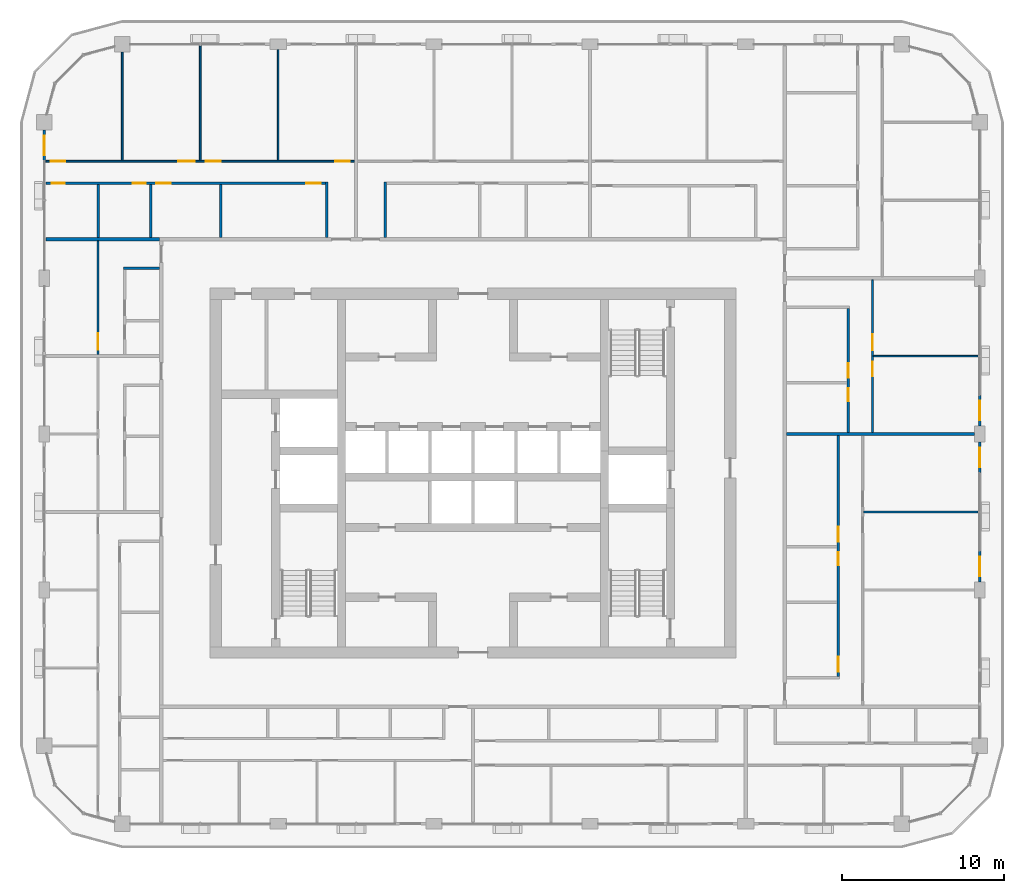
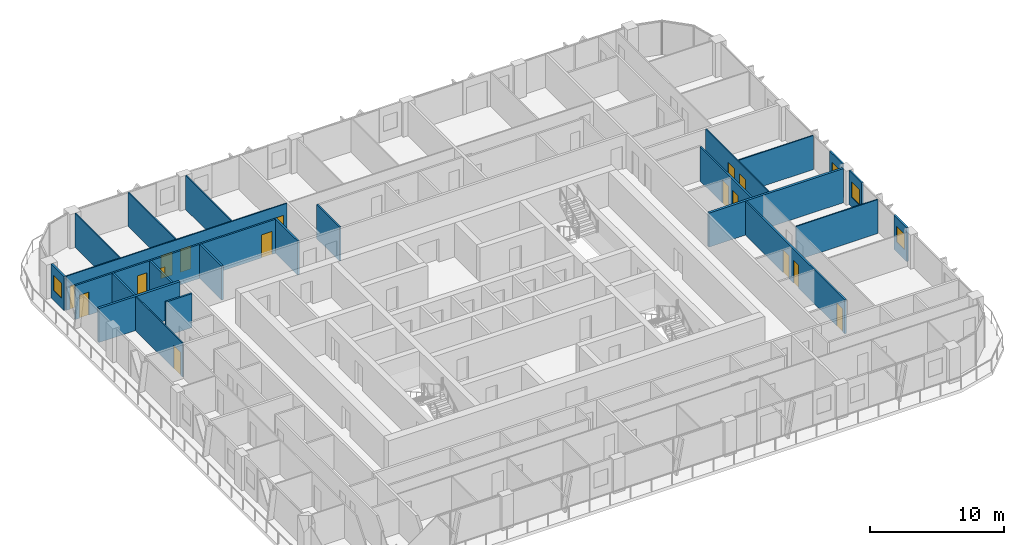
# One storey, part 13 of 22: 23 walls, 16 doors, 4 windows, 20 openings.
"""IFC4 building model written with IfcOpenShell, lengths in metres."""

from ifc_helpers import new_model, si_unit, direction, frame, frame_2d, origin, place, context, subcontext, project, spatial, rectangle, extrude, material, layer, layer_set, type_object, element, fill, save


model = new_model("IFC4")

# Units and contexts
model_context = context("Model", 3, precision=1e-05, world=origin(), true_north=direction((0.0, 1.0)))
body_context = subcontext(model_context, "Body", "Model", "MODEL_VIEW")
ifc_project = project(units=[si_unit("LENGTHUNIT", "METRE"), si_unit("AREAUNIT", "SQUARE_METRE"), si_unit("VOLUMEUNIT", "CUBIC_METRE"), si_unit("PLANEANGLEUNIT", "RADIAN"), si_unit("MASSUNIT", "GRAM", prefix="KILO")], contexts=[model_context])

# Site, building, storey
site_placement = place(None, origin())
site = spatial("IfcSite", under=ifc_project, at=site_placement, CompositionType="ELEMENT")
building_placement = place(site_placement, origin())
building = spatial("IfcBuilding", under=site, at=building_placement, Name="Madar Terraces", CompositionType="ELEMENT")
storey_placement = place(building_placement, frame((0.0, 0.0, 229.800048828125)))
storey = spatial("IfcBuildingStorey", under=building, at=storey_placement, Name="L60", CompositionType="ELEMENT", Elevation=229.800048828125)

# Wall, opening, window
ifc_material_1 = material(Name="Aluminium composite panel, black, over insulated backing", Category="aluminium")
ifc_layer_1 = layer(ifc_material_1, 0.14990234375)
ifc_layer_set_1 = layer_set([ifc_layer_1], Name="Facade bay panel 150")
wall_type_1 = type_object("IfcWallType", Name="Facade bay panel 150", PredefinedType="SOLIDWALL", material=ifc_layer_set_1)
wall_1_placement = place(storey_placement, frame((62.39990234375, 19.699951171875, 0.0), z_axis=(0.0, 0.0, 1.0), x_axis=(0.0, 1.0, 0.0)))
wall_1 = element("IfcWall", 1, at=wall_1_placement, inside=storey, type_object=wall_type_1, Name="Facade bay panel", PredefinedType="SOLIDWALL", context=body_context, shape_type="SweptSolid", body=[
    extrude(rectangle(XDim=1.900146484375, YDim=0.14990234375, at=frame_2d((0.9501953125, 0.0))), origin(), (0.0, 0.0, 1.0), 3.099853515625),
])
opening_1_placement = place(wall_1_placement, frame((0.35009765625, 0.0, 0.89990234375)))
opening_1 = element("IfcOpeningElement", 2, at=opening_1_placement, cuts=wall_1, Name="Opening W1", PredefinedType="OPENING", context=body_context, shape_type="SweptSolid", body=[
    extrude(rectangle(XDim=1.199951171875, YDim=1.39990234375, at=frame_2d((0.60009765625, 0.699951171875))), frame((0.0, 0.0849609375, 0.0), z_axis=(0.0, -1.0, 0.0), x_axis=(1.0, 0.0, 0.0)), (0.0, 0.0, 1.0), 0.169921875),
])
ifc_material_2 = material(Name="Glass, clear, with black aluminium frame", Category="aluminium")
window_type = type_object("IfcWindowType", Name="Vent window 1200 x 1400", PartitioningType="SINGLE_PANEL", PredefinedType="WINDOW", material=ifc_material_2)
window_1_placement = place(opening_1_placement, origin())
window_1 = element("IfcWindow", 3, at=window_1_placement, inside=storey, type_object=window_type, Name="Operable vent window", OverallHeight=1.39990234375, OverallWidth=1.199951171875, PartitioningType="SINGLE_PANEL", PredefinedType="WINDOW", context=body_context, shape_type="SweptSolid", body=[
    extrude(rectangle(XDim=1.199951171875, YDim=1.39990234375, at=frame_2d((0.60009765625, 0.699951171875))), frame((0.0, 0.030029296875, 0.0), z_axis=(0.0, -1.0, 0.0), x_axis=(1.0, 0.0, 0.0)), (0.0, 0.0, 1.0), 0.06005859375),
])
fill(opening_1, window_1)

wall_2_placement = place(storey_placement, frame((62.39990234375, 26.39990234375, 0.0), z_axis=(0.0, 0.0, 1.0), x_axis=(0.0, 1.0, 0.0)))
wall_2 = element("IfcWall", 4, at=wall_2_placement, inside=storey, type_object=wall_type_1, Name="Facade bay panel", PredefinedType="SOLIDWALL", context=body_context, shape_type="SweptSolid", body=[
    extrude(rectangle(XDim=1.900146484375, YDim=0.14990234375, at=frame_2d((0.9501953125, 0.0))), origin(), (0.0, 0.0, 1.0), 3.099853515625),
])
opening_2_placement = place(wall_2_placement, frame((0.35009765625, 0.0, 0.89990234375)))
opening_2 = element("IfcOpeningElement", 5, at=opening_2_placement, cuts=wall_2, Name="Opening W1", PredefinedType="OPENING", context=body_context, shape_type="SweptSolid", body=[
    extrude(rectangle(XDim=1.199951171875, YDim=1.39990234375, at=frame_2d((0.60009765625, 0.699951171875))), frame((0.0, 0.0849609375, 0.0), z_axis=(0.0, -1.0, 0.0), x_axis=(1.0, 0.0, 0.0)), (0.0, 0.0, 1.0), 0.169921875),
])
window_2_placement = place(opening_2_placement, origin())
window_2 = element("IfcWindow", 6, at=window_2_placement, inside=storey, type_object=window_type, Name="Operable vent window", OverallHeight=1.39990234375, OverallWidth=1.199951171875, PartitioningType="SINGLE_PANEL", PredefinedType="WINDOW", context=body_context, shape_type="SweptSolid", body=[
    extrude(rectangle(XDim=1.199951171875, YDim=1.39990234375, at=frame_2d((0.60009765625, 0.699951171875))), frame((0.0, 0.030029296875, 0.0), z_axis=(0.0, -1.0, 0.0), x_axis=(1.0, 0.0, 0.0)), (0.0, 0.0, 1.0), 0.06005859375),
])
fill(opening_2, window_2)

wall_3_placement = place(storey_placement, frame((62.39990234375, 29.300048828125, 0.0), z_axis=(0.0, 0.0, 1.0), x_axis=(0.0, 1.0, 0.0)))
wall_3 = element("IfcWall", 7, at=wall_3_placement, inside=storey, type_object=wall_type_1, Name="Facade bay panel", PredefinedType="SOLIDWALL", context=body_context, shape_type="SweptSolid", body=[
    extrude(rectangle(XDim=1.89990234375, YDim=0.14990234375, at=frame_2d((0.949951171875, 0.0))), origin(), (0.0, 0.0, 1.0), 3.099853515625),
])
opening_3_placement = place(wall_3_placement, frame((0.35009765625, 0.0, 0.89990234375)))
opening_3 = element("IfcOpeningElement", 8, at=opening_3_placement, cuts=wall_3, Name="Opening W1", PredefinedType="OPENING", context=body_context, shape_type="SweptSolid", body=[
    extrude(rectangle(XDim=1.199951171875, YDim=1.39990234375, at=frame_2d((0.60009765625, 0.699951171875))), frame((0.0, 0.0849609375, 0.0), z_axis=(0.0, -1.0, 0.0), x_axis=(1.0, 0.0, 0.0)), (0.0, 0.0, 1.0), 0.169921875),
])
window_3_placement = place(opening_3_placement, origin())
window_3 = element("IfcWindow", 9, at=window_3_placement, inside=storey, type_object=window_type, Name="Operable vent window", OverallHeight=1.39990234375, OverallWidth=1.199951171875, PartitioningType="SINGLE_PANEL", PredefinedType="WINDOW", context=body_context, shape_type="SweptSolid", body=[
    extrude(rectangle(XDim=1.199951171875, YDim=1.39990234375, at=frame_2d((0.60009765625, 0.699951171875))), frame((0.0, 0.030029296875, 0.0), z_axis=(0.0, -1.0, 0.0), x_axis=(1.0, 0.0, 0.0)), (0.0, 0.0, 1.0), 0.06005859375),
])
fill(opening_3, window_3)

wall_4_placement = place(storey_placement, frame((4.800048828125, 47.52490234375, 0.0), z_axis=(0.0, 0.0, 1.0), x_axis=(0.0, -1.0, 0.0)))
wall_4 = element("IfcWall", 10, at=wall_4_placement, inside=storey, type_object=wall_type_1, Name="Facade bay panel", PredefinedType="SOLIDWALL", context=body_context, shape_type="SweptSolid", body=[
    extrude(rectangle(XDim=1.9248046875, YDim=0.14990234375, at=frame_2d((0.96240234375, 0.0))), origin(), (0.0, 0.0, 1.0), 3.099853515625),
])
opening_4_placement = place(wall_4_placement, frame((0.362548828125, 0.0, 0.89990234375)))
opening_4 = element("IfcOpeningElement", 11, at=opening_4_placement, cuts=wall_4, Name="Opening W1", PredefinedType="OPENING", context=body_context, shape_type="SweptSolid", body=[
    extrude(rectangle(XDim=1.199951171875, YDim=1.39990234375, at=frame_2d((0.60009765625, 0.699951171875))), frame((0.0, 0.0849609375, 0.0), z_axis=(0.0, -1.0, 0.0), x_axis=(1.0, 0.0, 0.0)), (0.0, 0.0, 1.0), 0.169921875),
])
window_4_placement = place(opening_4_placement, origin())
window_4 = element("IfcWindow", 12, at=window_4_placement, inside=storey, type_object=window_type, Name="Operable vent window", OverallHeight=1.39990234375, OverallWidth=1.199951171875, PartitioningType="SINGLE_PANEL", PredefinedType="WINDOW", context=body_context, shape_type="SweptSolid", body=[
    extrude(rectangle(XDim=1.199951171875, YDim=1.39990234375, at=frame_2d((0.60009765625, 0.699951171875))), frame((0.0, 0.030029296875, 0.0), z_axis=(0.0, -1.0, 0.0), x_axis=(1.0, 0.0, 0.0)), (0.0, 0.0, 1.0), 0.06005859375),
])
fill(opening_4, window_4)

# Walls
ifc_material_3 = material(Name="Gypsum board on steel studs", Category="steel")
ifc_layer_2 = layer(ifc_material_3, 0.10009765625)
ifc_layer_set_2 = layer_set([ifc_layer_2], Name="Flat partition 100")
wall_type_2 = type_object("IfcWallType", Name="Flat partition 100", PredefinedType="PARTITIONING", material=ifc_layer_set_2)
wall_5_placement = place(storey_placement, frame((55.25, 24.0, 0.0), z_axis=(0.0, 0.0, 1.0), x_axis=(1.0, 0.0, 0.0)))
element("IfcWall", 13, at=wall_5_placement, inside=storey, type_object=wall_type_2, Name="Flat partition 100", PredefinedType="PARTITIONING", context=body_context, shape_type="SweptSolid", body=[
    extrude(rectangle(XDim=7.050048828125, YDim=0.10009765625, at=frame_2d((3.52490234375, 0.0))), origin(), (0.0, 0.0, 1.0), 3.099853515625),
])
wall_6_placement = place(storey_placement, frame((55.85009765625, 33.60009765625, 0.0), z_axis=(0.0, 0.0, 1.0), x_axis=(1.0, 0.0, 0.0)))
element("IfcWall", 14, at=wall_6_placement, inside=storey, type_object=wall_type_2, Name="Flat partition 100", PredefinedType="PARTITIONING", context=body_context, shape_type="SweptSolid", body=[
    extrude(rectangle(XDim=6.449951171875, YDim=0.10009765625, at=frame_2d((3.22509765625, 0.0))), origin(), (0.0, 0.0, 1.0), 3.099853515625),
])

# Wall, openings, doors
wall_7_placement = place(storey_placement, frame((55.800048828125, 38.300048828125, 0.0), z_axis=(0.0, 0.0, 1.0), x_axis=(0.0, -1.0, 0.0)))
wall_7 = element("IfcWall", 15, at=wall_7_placement, inside=storey, type_object=wall_type_2, Name="Flat partition 100", PredefinedType="PARTITIONING", context=body_context, shape_type="SweptSolid", body=[
    extrude(rectangle(XDim=9.400146484375, YDim=0.10009765625, at=frame_2d((4.7001953125, 0.0))), origin(), (0.0, 0.0, 1.0), 3.099853515625),
])
opening_5_placement = place(wall_7_placement, frame((3.35009765625, 0.0, 0.0)))
opening_5 = element("IfcOpeningElement", 16, at=opening_5_placement, cuts=wall_7, Name="Opening D3", PredefinedType="OPENING", context=body_context, shape_type="SweptSolid", body=[
    extrude(rectangle(XDim=1.0, YDim=2.10009765625, at=frame_2d((0.5, 1.050048828125))), frame((0.0, 0.06005859375, 0.0), z_axis=(0.0, -1.0, 0.0), x_axis=(1.0, 0.0, 0.0)), (0.0, 0.0, 1.0), 0.1201171875),
])
opening_6_placement = place(wall_7_placement, frame((5.050048828125, 0.0, 0.0)))
opening_6 = element("IfcOpeningElement", 17, at=opening_6_placement, cuts=wall_7, Name="Opening D2", PredefinedType="OPENING", context=body_context, shape_type="SweptSolid", body=[
    extrude(rectangle(XDim=0.89990234375, YDim=2.10009765625, at=frame_2d((0.449951171875, 1.050048828125))), frame((0.0, 0.06005859375, 0.0), z_axis=(0.0, -1.0, 0.0), x_axis=(1.0, 0.0, 0.0)), (0.0, 0.0, 1.0), 0.1201171875),
])
ifc_material_4 = material(Name="Timber door leaf", Category="wood")
door_type_1 = type_object("IfcDoorType", Name="Flat living room door 1000", OperationType="NOTDEFINED", PredefinedType="DOOR", material=ifc_material_4)
door_1_placement = place(opening_5_placement, origin())
door_1 = element("IfcDoor", 18, at=door_1_placement, inside=storey, type_object=door_type_1, Name="Flat living room door 1000", OperationType="SINGLE_SWING_RIGHT", OverallHeight=2.10009765625, OverallWidth=1.0, PredefinedType="DOOR", context=body_context, shape_type="SweptSolid", body=[
    extrude(rectangle(XDim=1.0, YDim=2.10009765625, at=frame_2d((0.5, 1.050048828125))), frame((0.0, 0.02490234375, 0.0), z_axis=(0.0, -1.0, 0.0), x_axis=(1.0, 0.0, 0.0)), (0.0, 0.0, 1.0), 0.050048828125),
])
fill(opening_5, door_1)
ifc_material_5 = material(Name="Timber door leaf", Category="wood")
door_type_2 = type_object("IfcDoorType", Name="Flat room door 900", OperationType="NOTDEFINED", PredefinedType="DOOR", material=ifc_material_5)
door_2_placement = place(opening_6_placement, origin())
door_2 = element("IfcDoor", 19, at=door_2_placement, inside=storey, type_object=door_type_2, Name="Flat room door 900", OperationType="SINGLE_SWING_LEFT", OverallHeight=2.10009765625, OverallWidth=0.89990234375, PredefinedType="DOOR", context=body_context, shape_type="SweptSolid", body=[
    extrude(rectangle(XDim=0.89990234375, YDim=2.10009765625, at=frame_2d((0.449951171875, 1.050048828125))), frame((0.0, 0.02490234375, 0.0), z_axis=(0.0, -1.0, 0.0), x_axis=(1.0, 0.0, 0.0)), (0.0, 0.0, 1.0), 0.050048828125),
])
fill(opening_6, door_2)

# Walls
wall_8_placement = place(storey_placement, frame((19.199951171875, 45.64990234375, 0.0), z_axis=(0.0, 0.0, 1.0), x_axis=(0.0, 1.0, 0.0)))
element("IfcWall", 20, at=wall_8_placement, inside=storey, type_object=wall_type_2, Name="Flat partition 100", PredefinedType="PARTITIONING", context=body_context, shape_type="SweptSolid", body=[
    extrude(rectangle(XDim=6.8251953125, YDim=0.10009765625, at=frame_2d((3.41259765625, 0.0))), origin(), (0.0, 0.0, 1.0), 3.099853515625),
])
wall_9_placement = place(storey_placement, frame((14.39990234375, 45.64990234375, 0.0), z_axis=(0.0, 0.0, 1.0), x_axis=(0.0, 1.0, 0.0)))
element("IfcWall", 21, at=wall_9_placement, inside=storey, type_object=wall_type_2, Name="Flat partition 100", PredefinedType="PARTITIONING", context=body_context, shape_type="SweptSolid", body=[
    extrude(rectangle(XDim=7.050048828125, YDim=0.10009765625, at=frame_2d((3.52490234375, 0.0))), origin(), (0.0, 0.0, 1.0), 3.099853515625),
])
wall_10_placement = place(storey_placement, frame((9.60009765625, 45.64990234375, 0.0), z_axis=(0.0, 0.0, 1.0), x_axis=(0.0, 1.0, 0.0)))
element("IfcWall", 22, at=wall_10_placement, inside=storey, type_object=wall_type_2, Name="Flat partition 100", PredefinedType="PARTITIONING", context=body_context, shape_type="SweptSolid", body=[
    extrude(rectangle(XDim=6.675048828125, YDim=0.10009765625, at=frame_2d((3.33740234375, 0.0))), origin(), (0.0, 0.0, 1.0), 3.099853515625),
])

# Wall, openings, doors
wall_11_placement = place(storey_placement, frame((4.89990234375, 45.60009765625, 0.0), z_axis=(0.0, 0.0, 1.0), x_axis=(1.0, 0.0, 0.0)))
wall_11 = element("IfcWall", 23, at=wall_11_placement, inside=storey, type_object=wall_type_2, Name="Flat partition 100", PredefinedType="PARTITIONING", context=body_context, shape_type="SweptSolid", body=[
    extrude(rectangle(XDim=19.0, YDim=0.10009765625, at=frame_2d((9.5, 0.0))), origin(), (0.0, 0.0, 1.0), 3.099853515625),
])
opening_7_placement = place(wall_11_placement, frame((17.800048828125, 0.0, 0.0)))
opening_7 = element("IfcOpeningElement", 24, at=opening_7_placement, cuts=wall_11, Name="Opening D2", PredefinedType="OPENING", context=body_context, shape_type="SweptSolid", body=[
    extrude(rectangle(XDim=0.89990234375, YDim=2.10009765625, at=frame_2d((0.449951171875, 1.050048828125))), frame((0.0, 0.06005859375, 0.0), z_axis=(0.0, -1.0, 0.0), x_axis=(1.0, 0.0, 0.0)), (0.0, 0.0, 1.0), 0.1201171875),
])
opening_8_placement = place(wall_11_placement, frame((9.85009765625, 0.0, 0.0)))
opening_8 = element("IfcOpeningElement", 25, at=opening_8_placement, cuts=wall_11, Name="Opening D2", PredefinedType="OPENING", context=body_context, shape_type="SweptSolid", body=[
    extrude(rectangle(XDim=0.89990234375, YDim=2.10009765625, at=frame_2d((0.449951171875, 1.050048828125))), frame((0.0, 0.06005859375, 0.0), z_axis=(0.0, -1.0, 0.0), x_axis=(1.0, 0.0, 0.0)), (0.0, 0.0, 1.0), 0.1201171875),
])
opening_9_placement = place(wall_11_placement, frame((8.14990234375, 0.0, 0.0)))
opening_9 = element("IfcOpeningElement", 26, at=opening_9_placement, cuts=wall_11, Name="Opening D3", PredefinedType="OPENING", context=body_context, shape_type="SweptSolid", body=[
    extrude(rectangle(XDim=1.0, YDim=2.10009765625, at=frame_2d((0.5, 1.050048828125))), frame((0.0, 0.06005859375, 0.0), z_axis=(0.0, -1.0, 0.0), x_axis=(1.0, 0.0, 0.0)), (0.0, 0.0, 1.0), 0.1201171875),
])
opening_10_placement = place(wall_11_placement, frame((0.300048828125, 0.0, 0.0)))
opening_10 = element("IfcOpeningElement", 27, at=opening_10_placement, cuts=wall_11, Name="Opening D2", PredefinedType="OPENING", context=body_context, shape_type="SweptSolid", body=[
    extrude(rectangle(XDim=0.89990234375, YDim=2.10009765625, at=frame_2d((0.449951171875, 1.050048828125))), frame((0.0, 0.06005859375, 0.0), z_axis=(0.0, -1.0, 0.0), x_axis=(1.0, 0.0, 0.0)), (0.0, 0.0, 1.0), 0.1201171875),
])
door_3_placement = place(opening_9_placement, origin())
door_3 = element("IfcDoor", 28, at=door_3_placement, inside=storey, type_object=door_type_1, Name="Flat living room door 1000", OperationType="SINGLE_SWING_RIGHT", OverallHeight=2.10009765625, OverallWidth=1.0, PredefinedType="DOOR", context=body_context, shape_type="SweptSolid", body=[
    extrude(rectangle(XDim=1.0, YDim=2.10009765625, at=frame_2d((0.5, 1.050048828125))), frame((0.0, 0.02490234375, 0.0), z_axis=(0.0, -1.0, 0.0), x_axis=(1.0, 0.0, 0.0)), (0.0, 0.0, 1.0), 0.050048828125),
])
fill(opening_9, door_3)
door_4_placement = place(opening_7_placement, origin())
door_4 = element("IfcDoor", 29, at=door_4_placement, inside=storey, type_object=door_type_2, Name="Flat room door 900", OperationType="SINGLE_SWING_RIGHT", OverallHeight=2.10009765625, OverallWidth=0.89990234375, PredefinedType="DOOR", context=body_context, shape_type="SweptSolid", body=[
    extrude(rectangle(XDim=0.89990234375, YDim=2.10009765625, at=frame_2d((0.449951171875, 1.050048828125))), frame((0.0, 0.02490234375, 0.0), z_axis=(0.0, -1.0, 0.0), x_axis=(1.0, 0.0, 0.0)), (0.0, 0.0, 1.0), 0.050048828125),
])
fill(opening_7, door_4)
door_5_placement = place(opening_8_placement, origin())
door_5 = element("IfcDoor", 30, at=door_5_placement, inside=storey, type_object=door_type_2, Name="Flat room door 900", OperationType="SINGLE_SWING_LEFT", OverallHeight=2.10009765625, OverallWidth=0.89990234375, PredefinedType="DOOR", context=body_context, shape_type="SweptSolid", body=[
    extrude(rectangle(XDim=0.89990234375, YDim=2.10009765625, at=frame_2d((0.449951171875, 1.050048828125))), frame((0.0, 0.02490234375, 0.0), z_axis=(0.0, -1.0, 0.0), x_axis=(1.0, 0.0, 0.0)), (0.0, 0.0, 1.0), 0.050048828125),
])
fill(opening_8, door_5)
door_6_placement = place(opening_10_placement, origin())
door_6 = element("IfcDoor", 31, at=door_6_placement, inside=storey, type_object=door_type_2, Name="Flat room door 900", OperationType="SINGLE_SWING_LEFT", OverallHeight=2.10009765625, OverallWidth=0.89990234375, PredefinedType="DOOR", context=body_context, shape_type="SweptSolid", body=[
    extrude(rectangle(XDim=0.89990234375, YDim=2.10009765625, at=frame_2d((0.449951171875, 1.050048828125))), frame((0.0, 0.02490234375, 0.0), z_axis=(0.0, -1.0, 0.0), x_axis=(1.0, 0.0, 0.0)), (0.0, 0.0, 1.0), 0.050048828125),
])
fill(opening_10, door_6)

# Wall, opening, door
wall_12_placement = place(storey_placement, frame((8.10009765625, 33.699951171875, 0.0), z_axis=(0.0, 0.0, 1.0), x_axis=(0.0, 1.0, 0.0)))
wall_12 = element("IfcWall", 32, at=wall_12_placement, inside=storey, type_object=wall_type_2, Name="Flat partition 100", PredefinedType="PARTITIONING", context=body_context, shape_type="SweptSolid", body=[
    extrude(rectangle(XDim=7.0, YDim=0.10009765625, at=frame_2d((3.5, 0.0))), origin(), (0.0, 0.0, 1.0), 3.099853515625),
])
opening_11_placement = place(wall_12_placement, frame((0.300048828125, 0.0, 0.0)))
opening_11 = element("IfcOpeningElement", 33, at=opening_11_placement, cuts=wall_12, Name="Opening D3", PredefinedType="OPENING", context=body_context, shape_type="SweptSolid", body=[
    extrude(rectangle(XDim=1.0, YDim=2.10009765625, at=frame_2d((0.5, 1.050048828125))), frame((0.0, 0.06005859375, 0.0), z_axis=(0.0, -1.0, 0.0), x_axis=(1.0, 0.0, 0.0)), (0.0, 0.0, 1.0), 0.1201171875),
])
door_7_placement = place(opening_11_placement, origin())
door_7 = element("IfcDoor", 34, at=door_7_placement, inside=storey, type_object=door_type_1, Name="Flat living room door 1000", OperationType="SINGLE_SWING_LEFT", OverallHeight=2.10009765625, OverallWidth=1.0, PredefinedType="DOOR", context=body_context, shape_type="SweptSolid", body=[
    extrude(rectangle(XDim=1.0, YDim=2.10009765625, at=frame_2d((0.5, 1.050048828125))), frame((0.0, 0.02490234375, 0.0), z_axis=(0.0, -1.0, 0.0), x_axis=(1.0, 0.0, 0.0)), (0.0, 0.0, 1.0), 0.050048828125),
])
fill(opening_11, door_7)

# Walls
ifc_material_6 = material(Name="Lightweight blockwork", Category="masonry")
ifc_layer_3 = layer(ifc_material_6, 0.199951171875)
ifc_layer_set_3 = layer_set([ifc_layer_3], Name="Flat party and entrance wall 200")
wall_type_3 = type_object("IfcWallType", Name="Flat party and entrance wall 200", PredefinedType="PARTITIONING", material=ifc_layer_set_3)
wall_13_placement = place(storey_placement, frame((50.5, 28.800048828125, 0.0), z_axis=(0.0, 0.0, 1.0), x_axis=(1.0, 0.0, 0.0)))
element("IfcWall", 35, at=wall_13_placement, inside=storey, type_object=wall_type_3, Name="Flat party and entrance wall 200", PredefinedType="PARTITIONING", context=body_context, shape_type="SweptSolid", body=[
    extrude(rectangle(XDim=11.574951171875, YDim=0.199951171875, at=frame_2d((5.78759765625, 0.0))), origin(), (0.0, 0.0, 1.0), 3.099853515625),
])
wall_14_placement = place(storey_placement, frame((4.89990234375, 40.800048828125, 0.0), z_axis=(0.0, 0.0, 1.0), x_axis=(1.0, 0.0, 0.0)))
element("IfcWall", 36, at=wall_14_placement, inside=storey, type_object=wall_type_3, Name="Flat party and entrance wall 200", PredefinedType="PARTITIONING", context=body_context, shape_type="SweptSolid", body=[
    extrude(rectangle(XDim=7.0, YDim=0.199951171875, at=frame_2d((3.5, 0.0))), origin(), (0.0, 0.0, 1.0), 3.099853515625),
])

# Wall, openings, doors
ifc_material_7 = material(Name="Lightweight blockwork", Category="masonry")
ifc_layer_4 = layer(ifc_material_7, 0.14990234375)
ifc_layer_set_4 = layer_set([ifc_layer_4], Name="Flat wet-room partition 150")
wall_type_4 = type_object("IfcWallType", Name="Flat wet-room partition 150", PredefinedType="PARTITIONING", material=ifc_layer_set_4)
wall_15_placement = place(storey_placement, frame((53.699951171875, 13.875, 0.0), z_axis=(0.0, 0.0, 1.0), x_axis=(0.0, 1.0, 0.0)))
wall_15 = element("IfcWall", 37, at=wall_15_placement, inside=storey, type_object=wall_type_4, Name="Flat wet-room partition 150", PredefinedType="PARTITIONING", context=body_context, shape_type="SweptSolid", body=[
    extrude(rectangle(XDim=14.824951171875, YDim=0.14990234375, at=frame_2d((7.41259765625, 0.0))), origin(), (0.0, 0.0, 1.0), 3.099853515625),
])
opening_12_placement = place(wall_15_placement, frame((0.300048828125, 0.0, 0.0)))
opening_12 = element("IfcOpeningElement", 38, at=opening_12_placement, cuts=wall_15, Name="Opening D5", PredefinedType="OPENING", context=body_context, shape_type="SweptSolid", body=[
    extrude(rectangle(XDim=0.89990234375, YDim=2.10009765625, at=frame_2d((0.449951171875, 1.050048828125))), frame((0.0, 0.0849609375, 0.0), z_axis=(0.0, -1.0, 0.0), x_axis=(1.0, 0.0, 0.0)), (0.0, 0.0, 1.0), 0.169921875),
])
opening_13_placement = place(wall_15_placement, frame((6.857666015625, 0.0, 0.0)))
opening_13 = element("IfcOpeningElement", 39, at=opening_13_placement, cuts=wall_15, Name="Opening D4", PredefinedType="OPENING", context=body_context, shape_type="SweptSolid", body=[
    extrude(rectangle(XDim=0.800048828125, YDim=2.10009765625, at=frame_2d((0.39990234375, 1.050048828125))), frame((0.0, 0.0849609375, 0.0), z_axis=(0.0, -1.0, 0.0), x_axis=(1.0, 0.0, 0.0)), (0.0, 0.0, 1.0), 0.169921875),
])
opening_14_placement = place(wall_15_placement, frame((8.3076171875, 0.0, 0.0)))
opening_14 = element("IfcOpeningElement", 40, at=opening_14_placement, cuts=wall_15, Name="Opening D2", PredefinedType="OPENING", context=body_context, shape_type="SweptSolid", body=[
    extrude(rectangle(XDim=0.89990234375, YDim=2.10009765625, at=frame_2d((0.449951171875, 1.050048828125))), frame((0.0, 0.0849609375, 0.0), z_axis=(0.0, -1.0, 0.0), x_axis=(1.0, 0.0, 0.0)), (0.0, 0.0, 1.0), 0.169921875),
])
ifc_material_8 = material(Name="Timber door leaf", Category="wood")
door_type_3 = type_object("IfcDoorType", Name="Flat accessible bathroom door 900", OperationType="NOTDEFINED", PredefinedType="DOOR", material=ifc_material_8)
door_8_placement = place(opening_12_placement, origin())
door_8 = element("IfcDoor", 41, at=door_8_placement, inside=storey, type_object=door_type_3, Name="Flat accessible bathroom door 900", OperationType="SINGLE_SWING_LEFT", OverallHeight=2.10009765625, OverallWidth=0.89990234375, PredefinedType="DOOR", context=body_context, shape_type="SweptSolid", body=[
    extrude(rectangle(XDim=0.89990234375, YDim=2.10009765625, at=frame_2d((0.449951171875, 1.050048828125))), frame((0.0, 0.02490234375, 0.0), z_axis=(0.0, -1.0, 0.0), x_axis=(1.0, 0.0, 0.0)), (0.0, 0.0, 1.0), 0.050048828125),
])
fill(opening_12, door_8)
ifc_material_9 = material(Name="Timber door leaf", Category="wood")
door_type_4 = type_object("IfcDoorType", Name="Flat bathroom door 800", OperationType="NOTDEFINED", PredefinedType="DOOR", material=ifc_material_9)
door_9_placement = place(opening_13_placement, origin())
door_9 = element("IfcDoor", 42, at=door_9_placement, inside=storey, type_object=door_type_4, Name="Flat bathroom door 800", OperationType="SINGLE_SWING_RIGHT", OverallHeight=2.10009765625, OverallWidth=0.800048828125, PredefinedType="DOOR", context=body_context, shape_type="SweptSolid", body=[
    extrude(rectangle(XDim=0.800048828125, YDim=2.10009765625, at=frame_2d((0.39990234375, 1.050048828125))), frame((0.0, 0.02490234375, 0.0), z_axis=(0.0, -1.0, 0.0), x_axis=(1.0, 0.0, 0.0)), (0.0, 0.0, 1.0), 0.050048828125),
])
fill(opening_13, door_9)
door_10_placement = place(opening_14_placement, origin())
door_10 = element("IfcDoor", 43, at=door_10_placement, inside=storey, type_object=door_type_2, Name="Flat room door 900", OperationType="SINGLE_SWING_LEFT", OverallHeight=2.10009765625, OverallWidth=0.89990234375, PredefinedType="DOOR", context=body_context, shape_type="SweptSolid", body=[
    extrude(rectangle(XDim=0.89990234375, YDim=2.10009765625, at=frame_2d((0.449951171875, 1.050048828125))), frame((0.0, 0.02490234375, 0.0), z_axis=(0.0, -1.0, 0.0), x_axis=(1.0, 0.0, 0.0)), (0.0, 0.0, 1.0), 0.050048828125),
])
fill(opening_14, door_10)

wall_16_placement = place(storey_placement, frame((54.300048828125, 28.89990234375, 0.0), z_axis=(0.0, 0.0, 1.0), x_axis=(0.0, 1.0, 0.0)))
wall_16 = element("IfcWall", 44, at=wall_16_placement, inside=storey, type_object=wall_type_4, Name="Flat wet-room partition 150", PredefinedType="PARTITIONING", context=body_context, shape_type="SweptSolid", body=[
    extrude(rectangle(XDim=7.625, YDim=0.14990234375, at=frame_2d((3.8125, 0.0))), origin(), (0.0, 0.0, 1.0), 3.099853515625),
])
opening_15_placement = place(wall_16_placement, frame((3.375, 0.0, 0.0)))
opening_15 = element("IfcOpeningElement", 45, at=opening_15_placement, cuts=wall_16, Name="Opening D2", PredefinedType="OPENING", context=body_context, shape_type="SweptSolid", body=[
    extrude(rectangle(XDim=0.89990234375, YDim=2.10009765625, at=frame_2d((0.449951171875, 1.050048828125))), frame((0.0, 0.0849609375, 0.0), z_axis=(0.0, -1.0, 0.0), x_axis=(1.0, 0.0, 0.0)), (0.0, 0.0, 1.0), 0.169921875),
])
opening_16_placement = place(wall_16_placement, frame((1.925048828125, 0.0, 0.0)))
opening_16 = element("IfcOpeningElement", 46, at=opening_16_placement, cuts=wall_16, Name="Opening D4", PredefinedType="OPENING", context=body_context, shape_type="SweptSolid", body=[
    extrude(rectangle(XDim=0.800048828125, YDim=2.10009765625, at=frame_2d((0.39990234375, 1.050048828125))), frame((0.0, 0.0849609375, 0.0), z_axis=(0.0, -1.0, 0.0), x_axis=(1.0, 0.0, 0.0)), (0.0, 0.0, 1.0), 0.169921875),
])
door_11_placement = place(opening_16_placement, origin())
door_11 = element("IfcDoor", 47, at=door_11_placement, inside=storey, type_object=door_type_4, Name="Flat bathroom door 800", OperationType="SINGLE_SWING_RIGHT", OverallHeight=2.10009765625, OverallWidth=0.800048828125, PredefinedType="DOOR", context=body_context, shape_type="SweptSolid", body=[
    extrude(rectangle(XDim=0.800048828125, YDim=2.10009765625, at=frame_2d((0.39990234375, 1.050048828125))), frame((0.0, 0.02490234375, 0.0), z_axis=(0.0, -1.0, 0.0), x_axis=(1.0, 0.0, 0.0)), (0.0, 0.0, 1.0), 0.050048828125),
])
fill(opening_16, door_11)
door_12_placement = place(opening_15_placement, origin())
door_12 = element("IfcDoor", 48, at=door_12_placement, inside=storey, type_object=door_type_2, Name="Flat room door 900", OperationType="SINGLE_SWING_LEFT", OverallHeight=2.10009765625, OverallWidth=0.89990234375, PredefinedType="DOOR", context=body_context, shape_type="SweptSolid", body=[
    extrude(rectangle(XDim=0.89990234375, YDim=2.10009765625, at=frame_2d((0.449951171875, 1.050048828125))), frame((0.0, 0.02490234375, 0.0), z_axis=(0.0, -1.0, 0.0), x_axis=(1.0, 0.0, 0.0)), (0.0, 0.0, 1.0), 0.050048828125),
])
fill(opening_15, door_12)

# Walls
wall_17_placement = place(storey_placement, frame((25.800048828125, 40.89990234375, 0.0), z_axis=(0.0, 0.0, 1.0), x_axis=(0.0, 1.0, 0.0)))
element("IfcWall", 49, at=wall_17_placement, inside=storey, type_object=wall_type_4, Name="Flat wet-room partition 150", PredefinedType="PARTITIONING", context=body_context, shape_type="SweptSolid", body=[
    extrude(rectangle(XDim=3.425048828125, YDim=0.14990234375, at=frame_2d((1.71240234375, 0.0))), origin(), (0.0, 0.0, 1.0), 3.099853515625),
])
for number, where, z_axis, x_axis, name in (
    (50, (15.66552734375, 40.89990234375, 0.0), (0.0, 0.0, 1.0), (0.0, 1.0, 0.0), "Flat wet-room partition 150"),
    (51, (11.359375, 40.89990234375, 0.0), (0.0, 0.0, 1.0), (0.0, 1.0, 0.0), "Flat wet-room partition 150"),
    (52, (8.129638671875, 40.89990234375, 0.0), (0.0, 0.0, 1.0), (0.0, 1.0, 0.0), "Flat wet-room partition 150"),
):
    element("IfcWall", number, at=place(storey_placement, frame(where, z_axis=z_axis, x_axis=x_axis)), inside=storey, type_object=wall_type_4, Name=name, PredefinedType="PARTITIONING", context=body_context, shape_type="SweptSolid", body=[
        extrude(rectangle(XDim=3.275146484375, YDim=0.14990234375, at=frame_2d((1.6376953125, 0.0))), origin(), (0.0, 0.0, 1.0), 3.099853515625),
    ])
wall_18_placement = place(storey_placement, frame((22.199951171875, 40.89990234375, 0.0), z_axis=(0.0, 0.0, 1.0), x_axis=(0.0, 1.0, 0.0)))
element("IfcWall", 53, at=wall_18_placement, inside=storey, type_object=wall_type_4, Name="Flat wet-room partition 150", PredefinedType="PARTITIONING", context=body_context, shape_type="SweptSolid", body=[
    extrude(rectangle(XDim=3.425048828125, YDim=0.14990234375, at=frame_2d((1.71240234375, 0.0))), origin(), (0.0, 0.0, 1.0), 3.099853515625),
])

# Wall, openings, doors
wall_19_placement = place(storey_placement, frame((22.125, 44.25, 0.0), z_axis=(0.0, 0.0, 1.0), x_axis=(-1.0, 0.0, 0.0)))
wall_19 = element("IfcWall", 54, at=wall_19_placement, inside=storey, type_object=wall_type_4, Name="Flat wet-room partition 150", PredefinedType="PARTITIONING", context=body_context, shape_type="SweptSolid", body=[
    extrude(rectangle(XDim=17.22509765625, YDim=0.14990234375, at=frame_2d((8.612548828125, 0.0))), origin(), (0.0, 0.0, 1.0), 3.099853515625),
])
opening_17_placement = place(wall_19_placement, frame((0.300048828125, 0.0, 0.0)))
opening_17 = element("IfcOpeningElement", 55, at=opening_17_placement, cuts=wall_19, Name="Opening D2", PredefinedType="OPENING", context=body_context, shape_type="SweptSolid", body=[
    extrude(rectangle(XDim=0.89990234375, YDim=2.10009765625, at=frame_2d((0.449951171875, 1.050048828125))), frame((0.0, 0.0849609375, 0.0), z_axis=(0.0, -1.0, 0.0), x_axis=(1.0, 0.0, 0.0)), (0.0, 0.0, 1.0), 0.169921875),
])
opening_18_placement = place(wall_19_placement, frame((9.54052734375, 0.0, 0.0)))
opening_18 = element("IfcOpeningElement", 56, at=opening_18_placement, cuts=wall_19, Name="Opening D5", PredefinedType="OPENING", context=body_context, shape_type="SweptSolid", body=[
    extrude(rectangle(XDim=0.89990234375, YDim=2.10009765625, at=frame_2d((0.449951171875, 1.050048828125))), frame((0.0, 0.0849609375, 0.0), z_axis=(0.0, -1.0, 0.0), x_axis=(1.0, 0.0, 0.0)), (0.0, 0.0, 1.0), 0.169921875),
])
opening_19_placement = place(wall_19_placement, frame((11.090576171875, 0.0, 0.0)))
opening_19 = element("IfcOpeningElement", 57, at=opening_19_placement, cuts=wall_19, Name="Opening D4", PredefinedType="OPENING", context=body_context, shape_type="SweptSolid", body=[
    extrude(rectangle(XDim=0.800048828125, YDim=2.10009765625, at=frame_2d((0.39990234375, 1.050048828125))), frame((0.0, 0.0849609375, 0.0), z_axis=(0.0, -1.0, 0.0), x_axis=(1.0, 0.0, 0.0)), (0.0, 0.0, 1.0), 0.169921875),
])
opening_20_placement = place(wall_19_placement, frame((16.074951171875, 0.0, 0.0)))
opening_20 = element("IfcOpeningElement", 58, at=opening_20_placement, cuts=wall_19, Name="Opening D7", PredefinedType="OPENING", context=body_context, shape_type="SweptSolid", body=[
    extrude(rectangle(XDim=0.800048828125, YDim=2.10009765625, at=frame_2d((0.39990234375, 1.050048828125))), frame((0.0, 0.0849609375, 0.0), z_axis=(0.0, -1.0, 0.0), x_axis=(1.0, 0.0, 0.0)), (0.0, 0.0, 1.0), 0.169921875),
])
door_13_placement = place(opening_18_placement, origin())
door_13 = element("IfcDoor", 59, at=door_13_placement, inside=storey, type_object=door_type_3, Name="Flat accessible bathroom door 900", OperationType="SINGLE_SWING_RIGHT", OverallHeight=2.10009765625, OverallWidth=0.89990234375, PredefinedType="DOOR", context=body_context, shape_type="SweptSolid", body=[
    extrude(rectangle(XDim=0.89990234375, YDim=2.10009765625, at=frame_2d((0.449951171875, 1.050048828125))), frame((0.0, 0.02490234375, 0.0), z_axis=(0.0, -1.0, 0.0), x_axis=(1.0, 0.0, 0.0)), (0.0, 0.0, 1.0), 0.050048828125),
])
fill(opening_18, door_13)
door_14_placement = place(opening_19_placement, origin())
door_14 = element("IfcDoor", 60, at=door_14_placement, inside=storey, type_object=door_type_4, Name="Flat bathroom door 800", OperationType="SINGLE_SWING_LEFT", OverallHeight=2.10009765625, OverallWidth=0.800048828125, PredefinedType="DOOR", context=body_context, shape_type="SweptSolid", body=[
    extrude(rectangle(XDim=0.800048828125, YDim=2.10009765625, at=frame_2d((0.39990234375, 1.050048828125))), frame((0.0, 0.02490234375, 0.0), z_axis=(0.0, -1.0, 0.0), x_axis=(1.0, 0.0, 0.0)), (0.0, 0.0, 1.0), 0.050048828125),
])
fill(opening_19, door_14)
door_15_placement = place(opening_17_placement, origin())
door_15 = element("IfcDoor", 61, at=door_15_placement, inside=storey, type_object=door_type_2, Name="Flat room door 900", OperationType="SINGLE_SWING_LEFT", OverallHeight=2.10009765625, OverallWidth=0.89990234375, PredefinedType="DOOR", context=body_context, shape_type="SweptSolid", body=[
    extrude(rectangle(XDim=0.89990234375, YDim=2.10009765625, at=frame_2d((0.449951171875, 1.050048828125))), frame((0.0, 0.02490234375, 0.0), z_axis=(0.0, -1.0, 0.0), x_axis=(1.0, 0.0, 0.0)), (0.0, 0.0, 1.0), 0.050048828125),
])
fill(opening_17, door_15)
ifc_material_10 = material(Name="Timber door leaf", Category="wood")
door_type_5 = type_object("IfcDoorType", Name="Flat utility door 800", OperationType="NOTDEFINED", PredefinedType="DOOR", material=ifc_material_10)
door_16_placement = place(opening_20_placement, origin())
door_16 = element("IfcDoor", 62, at=door_16_placement, inside=storey, type_object=door_type_5, Name="Flat utility door 800", OperationType="SINGLE_SWING_RIGHT", OverallHeight=2.10009765625, OverallWidth=0.800048828125, PredefinedType="DOOR", context=body_context, shape_type="SweptSolid", body=[
    extrude(rectangle(XDim=0.800048828125, YDim=2.10009765625, at=frame_2d((0.39990234375, 1.050048828125))), frame((0.0, 0.02490234375, 0.0), z_axis=(0.0, -1.0, 0.0), x_axis=(1.0, 0.0, 0.0)), (0.0, 0.0, 1.0), 0.050048828125),
])
fill(opening_20, door_16)

# Wall
wall_20_placement = place(storey_placement, frame((11.89990234375, 39.0, 0.0), z_axis=(0.0, 0.0, 1.0), x_axis=(-1.0, 0.0, 0.0)))
element("IfcWall", 63, at=wall_20_placement, inside=storey, type_object=wall_type_4, Name="Flat wet-room partition 150", PredefinedType="PARTITIONING", context=body_context, shape_type="SweptSolid", body=[
    extrude(rectangle(XDim=2.224853515625, YDim=0.14990234375, at=frame_2d((1.1123046875, 0.0))), origin(), (0.0, 0.0, 1.0), 3.099853515625),
])

save(model, "model.ifc")
